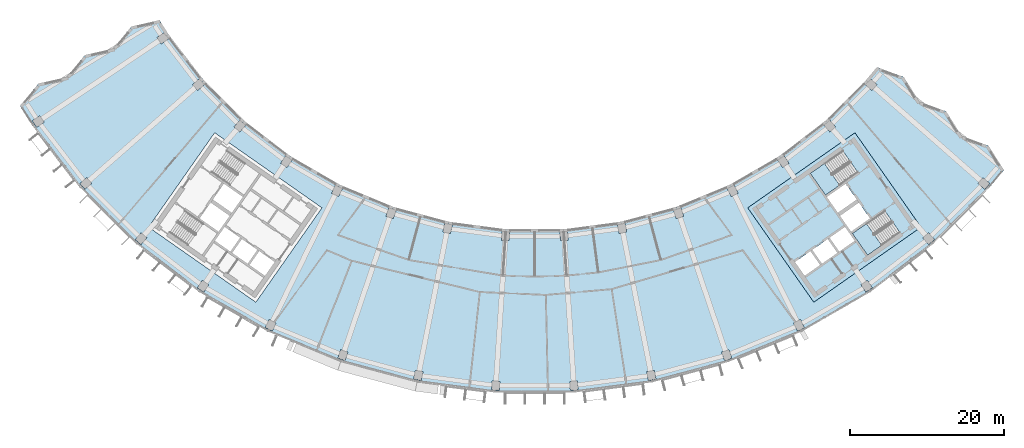
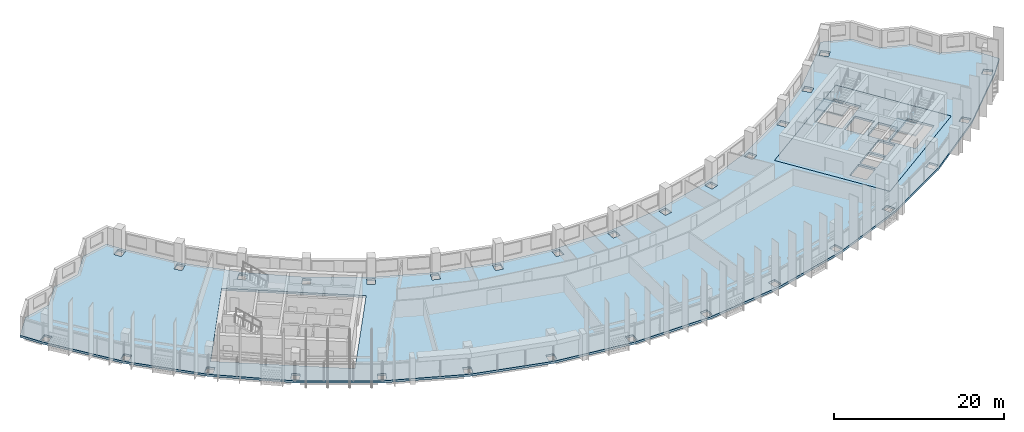
# One storey, part 2 of 28: 4 slabs, 2 elements without a shape of their own.
"""IFC4 building model written with IfcOpenShell, lengths in metres."""

from ifc_helpers import new_model, si_unit, direction, frame, origin, place, context, subcontext, project, spatial, polyline, outline, extrude, material, layer, layer_set, type_object, element, aggregate, save


model = new_model("IFC4")

# Units and contexts
model_context = context("Model", 3, precision=1e-05, world=origin(), true_north=direction((0.0, 1.0)))
body_context = subcontext(model_context, "Body", "Model", "MODEL_VIEW")
ifc_project = project(units=[si_unit("LENGTHUNIT", "METRE"), si_unit("AREAUNIT", "SQUARE_METRE"), si_unit("VOLUMEUNIT", "CUBIC_METRE"), si_unit("PLANEANGLEUNIT", "RADIAN"), si_unit("MASSUNIT", "GRAM", prefix="KILO")], contexts=[model_context])

# Site, building, storey
site_placement = place(None, origin())
site = spatial("IfcSite", under=ifc_project, at=site_placement, CompositionType="ELEMENT")
building_placement = place(site_placement, origin())
building = spatial("IfcBuilding", under=site, at=building_placement, Name="Qamariyya Broadcast Tower", CompositionType="ELEMENT")
storey_placement = place(building_placement, frame((0.0, 0.0, 234.10009765625)))
storey = spatial("IfcBuildingStorey", under=building, at=storey_placement, Name="L56", CompositionType="ELEMENT", Elevation=234.10009765625)

# Slabs
ifc_material_1 = material(Name="Concrete C40/50", Category="concrete")
ifc_layer_1 = layer(ifc_material_1, 0.300048828125)
ifc_layer_set_1 = layer_set([ifc_layer_1], Name="Core floor slab 300 mm Concrete C40/50")
slab_type_1 = type_object("IfcSlabType", Name="Core floor slab 300 mm Concrete C40/50", PredefinedType="FLOOR", material=ifc_layer_set_1)
slab_1_placement = place(storey_placement, frame((0.0, 0.0, -0.300048828125)))
element("IfcSlab", 1, at=slab_1_placement, inside=storey, type_object=slab_type_1, Name="k-E-L56-slab", PredefinedType="FLOOR", context=body_context, shape_type="SweptSolid", body=[
    extrude(outline(polyline([(36.32373046875, -66.734375), (50.286376953125, -56.95751953125), (41.6826171875, -44.67041015625), (27.719970703125, -54.447021484375), (36.32373046875, -66.734375)]), holes=[polyline([(33.87353515625, -61.49169921875), (35.88037109375, -60.08642578125), (37.142333984375, -61.888427734375), (35.13525390625, -63.293701171875), (33.87353515625, -61.49169921875)]), polyline([(36.126220703125, -59.914306640625), (38.133056640625, -58.509033203125), (39.394775390625, -60.311279296875), (37.387939453125, -61.716552734375), (36.126220703125, -59.914306640625)]), polyline([(38.378662109375, -58.3369140625), (40.3857421875, -56.931640625), (41.6474609375, -58.73388671875), (39.640625, -60.13916015625), (38.378662109375, -58.3369140625)]), polyline([(39.742431640625, -55.489990234375), (42.199951171875, -53.769287109375), (43.6337890625, -55.817138671875), (41.17626953125, -57.537841796875), (39.742431640625, -55.489990234375)]), polyline([(39.45556640625, -55.080322265625), (41.9130859375, -53.359619140625), (40.47900390625, -51.311767578125), (38.021728515625, -53.032470703125), (39.45556640625, -55.080322265625)]), polyline([(40.082275390625, -47.01171875), (35.870849609375, -49.960693359375), (37.849609375, -52.78662109375), (42.06103515625, -49.837890625), (40.082275390625, -47.01171875)]), polyline([(45.559814453125, -54.834716796875), (41.348388671875, -57.783447265625), (43.3271484375, -60.609619140625), (47.538818359375, -57.66064453125), (45.559814453125, -54.834716796875)])]), origin(), (0.0, 0.0, 1.0), 0.300048828125),
])
ifc_layer_2 = layer(ifc_material_1, 0.300048828125)
ifc_layer_set_2 = layer_set([ifc_layer_2], Name="Post-tensioned floor slab 300 C40/50")
slab_type_2 = type_object("IfcSlabType", Name="Post-tensioned floor slab 300 C40/50", PredefinedType="FLOOR", material=ifc_layer_set_2)
slab_2_placement = place(storey_placement, frame((0.0, 0.0, -0.300048828125)))
element("IfcSlab", 2, at=slab_2_placement, inside=storey, type_object=slab_type_2, Name="Floor slab S4 L56", PredefinedType="FLOOR", context=body_context, shape_type="SweptSolid", body=[
    extrude(outline(polyline([(-64.626220703125, -38.25537109375), (-67.0322265625, -41.14013671875), (-65.39501953125, -43.695556640625), (-59.132080078125, -51.857666015625), (-51.857666015625, -59.132080078125), (-43.695556640625, -65.39501953125), (-34.785888671875, -70.5390625), (-25.28125, -74.47607421875), (-15.34375, -77.138671875), (-5.14404296875, -78.481689453125), (5.14404296875, -78.481689453125), (15.34375, -77.138671875), (25.28125, -74.47607421875), (34.785888671875, -70.5390625), (43.695556640625, -65.39501953125), (51.857666015625, -59.132080078125), (59.132080078125, -51.857666015625), (61.0888671875, -49.53759765625), (59.079833984375, -46.363525390625), (55.57421875, -45.065673828125), (53.564453125, -41.890869140625), (50.0595703125, -40.59375), (48.048828125, -37.418212890625), (44.544921875, -36.121826171875), (43.117919921875, -37.8134765625), (37.8134765625, -43.117919921875), (31.862060546875, -47.684814453125), (25.365234375, -51.435546875), (18.4345703125, -54.306396484375), (11.1884765625, -56.248046875), (3.7509765625, -57.227294921875), (-3.7509765625, -57.227294921875), (-11.1884765625, -56.248046875), (-18.4345703125, -54.306396484375), (-25.365234375, -51.435546875), (-31.862060546875, -47.684814453125), (-37.8134765625, -43.117919921875), (-43.117919921875, -37.8134765625), (-47.684814453125, -31.862060546875), (-48.878662109375, -29.99853515625), (-52.521728515625, -30.82666015625), (-54.9296875, -33.71240234375), (-58.573974609375, -34.541015625), (-60.98095703125, -37.42626953125), (-64.626220703125, -38.25537109375)]), holes=[polyline([(-5.62158203125, -78.12451171875), (-5.54638671875, -76.97705078125), (-4.548583984375, -77.04248046875), (-4.623779296875, -78.18994140625), (-5.62158203125, -78.12451171875)]), polyline([(-15.770751953125, -76.722412109375), (-15.54638671875, -75.594482421875), (-14.565673828125, -75.78955078125), (-14.7900390625, -76.91748046875), (-15.770751953125, -76.722412109375)]), polyline([(-25.650146484375, -74.007568359375), (-25.280517578125, -72.918701171875), (-24.333740234375, -73.239990234375), (-24.703369140625, -74.3291015625), (-25.650146484375, -74.007568359375)]), polyline([(-35.090576171875, -70.0263671875), (-34.58203125, -68.9951171875), (-33.685302734375, -69.437255859375), (-34.19384765625, -70.46875), (-35.090576171875, -70.0263671875)]), polyline([(-43.9306640625, -64.84716796875), (-43.291748046875, -63.890869140625), (-42.46044921875, -64.446533203125), (-43.099365234375, -65.402587890625), (-43.9306640625, -64.84716796875)]), polyline([(-52.019287109375, -58.55810546875), (-51.260986328125, -57.693603515625), (-50.509033203125, -58.35302734375), (-51.267333984375, -59.217529296875), (-52.019287109375, -58.55810546875)]), polyline([(-11.966552734375, -57.59716796875), (-11.7421875, -56.46923828125), (-10.761474609375, -56.664306640625), (-10.98583984375, -57.792236328125), (-11.966552734375, -57.59716796875)]), polyline([(-50.286376953125, -56.95751953125), (-41.6826171875, -44.67041015625), (-27.719970703125, -54.447021484375), (-36.32373046875, -66.734375), (-50.286376953125, -56.95751953125)]), polyline([(-19.382080078125, -55.54248046875), (-19.012451171875, -54.453369140625), (-18.065673828125, -54.77490234375), (-18.435302734375, -55.86376953125), (-19.382080078125, -55.54248046875)]), polyline([(-26.466064453125, -52.537353515625), (-25.95751953125, -51.506103515625), (-25.060546875, -51.9482421875), (-25.569091796875, -52.979736328125), (-26.466064453125, -52.537353515625)]), polyline([(-59.217529296875, -51.267333984375), (-58.35302734375, -50.509033203125), (-57.693603515625, -51.260986328125), (-58.55810546875, -52.019287109375), (-59.217529296875, -51.267333984375)]), polyline([(-33.09716796875, -48.63330078125), (-32.458251953125, -47.67724609375), (-31.626708984375, -48.23291015625), (-32.265625, -49.18896484375), (-33.09716796875, -48.63330078125)]), polyline([(-39.161865234375, -43.897216796875), (-38.40380859375, -43.03271484375), (-37.65185546875, -43.692138671875), (-38.41015625, -44.556640625), (-39.161865234375, -43.897216796875)]), polyline([(-65.402587890625, -43.099365234375), (-64.446533203125, -42.46044921875), (-63.890869140625, -43.291748046875), (-64.84716796875, -43.9306640625), (-65.402587890625, -43.099365234375)]), polyline([(-44.556640625, -38.41015625), (-43.692138671875, -37.65185546875), (-43.03271484375, -38.40380859375), (-43.897216796875, -39.161865234375), (-44.556640625, -38.41015625)]), polyline([(-49.18896484375, -32.265625), (-48.23291015625, -31.626708984375), (-47.67724609375, -32.458251953125), (-48.63330078125, -33.09716796875), (-49.18896484375, -32.265625)]), polyline([(4.623779296875, -78.18994140625), (4.548583984375, -77.04248046875), (5.54638671875, -76.97705078125), (5.62158203125, -78.12451171875), (4.623779296875, -78.18994140625)]), polyline([(14.7900390625, -76.91748046875), (14.565673828125, -75.78955078125), (15.54638671875, -75.594482421875), (15.770751953125, -76.722412109375), (14.7900390625, -76.91748046875)]), polyline([(24.703369140625, -74.3291015625), (24.333740234375, -73.239990234375), (25.280517578125, -72.918701171875), (25.650146484375, -74.007568359375), (24.703369140625, -74.3291015625)]), polyline([(34.19384765625, -70.46875), (33.685302734375, -69.437255859375), (34.58203125, -68.9951171875), (35.090576171875, -70.0263671875), (34.19384765625, -70.46875)]), polyline([(43.099365234375, -65.402587890625), (42.46044921875, -64.446533203125), (43.291748046875, -63.890869140625), (43.9306640625, -64.84716796875), (43.099365234375, -65.402587890625)]), polyline([(51.267333984375, -59.217529296875), (50.509033203125, -58.35302734375), (51.260986328125, -57.693603515625), (52.019287109375, -58.55810546875), (51.267333984375, -59.217529296875)]), polyline([(-4.34619140625, -58.666259765625), (-4.27099609375, -57.518798828125), (-3.273193359375, -57.584228515625), (-3.348388671875, -58.731689453125), (-4.34619140625, -58.666259765625)]), polyline([(3.348388671875, -58.731689453125), (3.273193359375, -57.584228515625), (4.27099609375, -57.518798828125), (4.34619140625, -58.666259765625), (3.348388671875, -58.731689453125)]), polyline([(10.98583984375, -57.792236328125), (10.761474609375, -56.664306640625), (11.7421875, -56.46923828125), (11.966552734375, -57.59716796875), (10.98583984375, -57.792236328125)]), polyline([(36.32373046875, -66.734375), (27.719970703125, -54.447021484375), (41.6826171875, -44.67041015625), (50.286376953125, -56.95751953125), (36.32373046875, -66.734375)]), polyline([(18.435302734375, -55.86376953125), (18.065673828125, -54.77490234375), (19.012451171875, -54.453369140625), (19.382080078125, -55.54248046875), (18.435302734375, -55.86376953125)]), polyline([(25.569091796875, -52.979736328125), (25.060546875, -51.9482421875), (25.95751953125, -51.506103515625), (26.466064453125, -52.537353515625), (25.569091796875, -52.979736328125)]), polyline([(58.55810546875, -52.019287109375), (57.693603515625, -51.260986328125), (58.35302734375, -50.509033203125), (59.217529296875, -51.267333984375), (58.55810546875, -52.019287109375)]), polyline([(32.265625, -49.18896484375), (31.626708984375, -48.23291015625), (32.458251953125, -47.67724609375), (33.09716796875, -48.63330078125), (32.265625, -49.18896484375)]), polyline([(38.41015625, -44.556640625), (37.65185546875, -43.692138671875), (38.40380859375, -43.03271484375), (39.161865234375, -43.897216796875), (38.41015625, -44.556640625)]), polyline([(43.897216796875, -39.161865234375), (43.03271484375, -38.40380859375), (43.692138671875, -37.65185546875), (44.556640625, -38.41015625), (43.897216796875, -39.161865234375)])]), origin(), (0.0, 0.0, 1.0), 0.300048828125),
])

# Stair, slab
ifc_material_2 = material(Name="Concrete C50/60", Category="concrete")
stair_type = type_object("IfcStairType", Name="Exit stair 22 risers of 173 mm", PredefinedType="HALF_TURN_STAIR", material=ifc_material_2)
stair_1_placement = place(storey_placement, origin())
stair_1 = element("IfcStair", 3, at=stair_1_placement, inside=storey, type_object=stair_type, Name="L56 Stair E2", PredefinedType="HALF_TURN_STAIR")
ifc_layer_3 = layer(ifc_material_2, 0.199951171875)
ifc_layer_set_3 = layer_set([ifc_layer_3], Name="Stair landing")
slab_type_3 = type_object("IfcSlabType", Name="Stair landing", PredefinedType="LANDING", material=ifc_layer_set_3)
slab_3_placement = place(storey_placement, frame((0.0, 0.0, 1.699951171875)))
slab_3 = element("IfcSlab", 4, at=slab_3_placement, type_object=slab_type_3, Name="ST-E2 landing 1", PredefinedType="LANDING", context=body_context, shape_type="SweptSolid", body=[
    extrude(outline(polyline([(37.71337890625, -48.67041015625), (35.870849609375, -49.960693359375), (37.849609375, -52.78662109375), (39.692138671875, -51.49658203125), (37.71337890625, -48.67041015625)])), origin(), (0.0, 0.0, 1.0), 0.199951171875),
])
aggregate(stair_1, [slab_3])

stair_2_placement = place(storey_placement, origin())
stair_2 = element("IfcStair", 5, at=stair_2_placement, inside=storey, type_object=stair_type, Name="L56 Stair E1", PredefinedType="HALF_TURN_STAIR")
slab_4_placement = place(storey_placement, frame((0.0, 0.0, 1.699951171875)))
slab_4 = element("IfcSlab", 6, at=slab_4_placement, type_object=slab_type_3, Name="ST-E1 landing 1", PredefinedType="LANDING", context=body_context, shape_type="SweptSolid", body=[
    extrude(outline(polyline([(43.19091796875, -56.493408203125), (41.348388671875, -57.783447265625), (43.3271484375, -60.609619140625), (45.169677734375, -59.319580078125), (43.19091796875, -56.493408203125)])), origin(), (0.0, 0.0, 1.0), 0.199951171875),
])
aggregate(stair_2, [slab_4])

save(model, "model.ifc")
